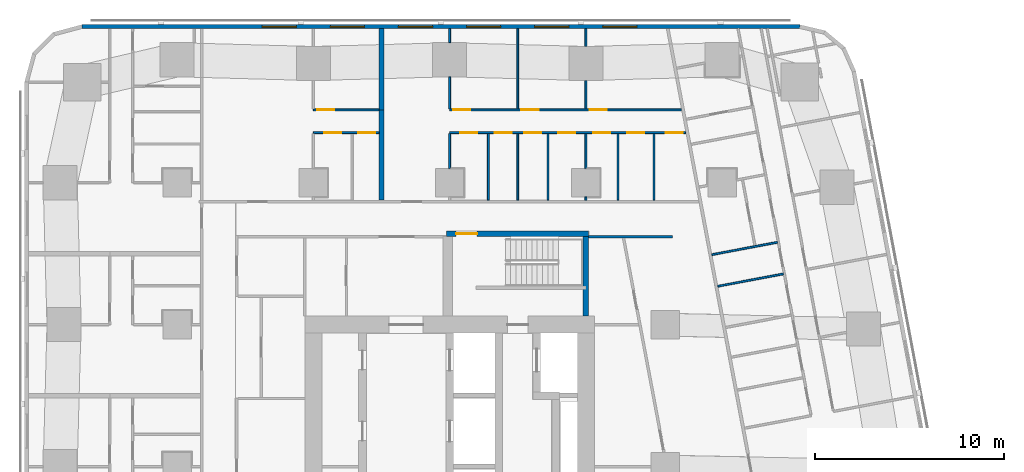
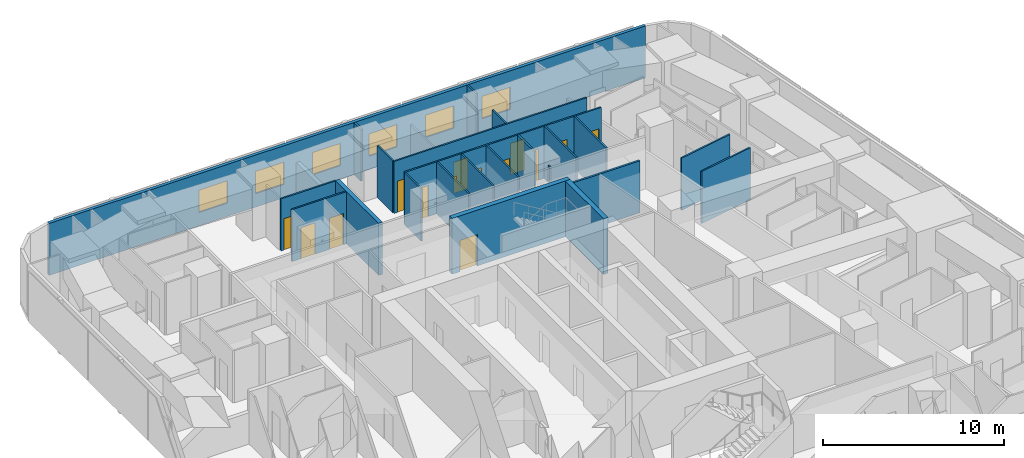
# One storey, part 10 of 15: 25 walls, 14 doors, 6 windows, 20 openings.
"""IFC4 building model written with IfcOpenShell, lengths in metres."""

import ifcopenshell
import ifcopenshell.guid

model = None  # the IFC model being written
_history = None  # IfcOwnerHistory: only IFC2X3 demands one
_inside = {}  # id of a spatial element -> (the spatial element, [elements in it])
_under = {}  # id of a project, library or spatial element -> (it, [spatial elements below it])
_declared = {}  # id of a project -> (the project, [libraries it declares])
_typed = {}  # id of a type object -> (the type object, [elements of that type])
_made_of = {}  # id of a material, layer set ... -> (it, [elements and type objects made of it])


def new_model(schema):
    """Start an empty IFC model of exactly this schema.

    Asked for "IFC4X3", IfcOpenShell would pick the latest addendum, in which some entities
    have other attributes; the version numbers below select the first issue.
    IFC2X3 requires an IfcOwnerHistory on every rooted entity: one is made here for all.
    """
    global model, _history
    if schema == "IFC4X3":
        model = ifcopenshell.file(schema_version=(4, 3, 0, 0))
    else:
        model = ifcopenshell.file(schema=schema)
    _inside.clear()
    _under.clear()
    _declared.clear()
    _typed.clear()
    _made_of.clear()
    _history = None
    if model.schema == "IFC2X3":
        org = make("IfcOrganization", Name="unknown")
        user = make(
            "IfcPersonAndOrganization",
            ThePerson=make("IfcPerson", FamilyName="unknown"),
            TheOrganization=org,
        )
        app = make(
            "IfcApplication",
            ApplicationDeveloper=org,
            Version="unknown",
            ApplicationFullName="unknown",
            ApplicationIdentifier="unknown",
        )
        _history = make(
            "IfcOwnerHistory",
            OwningUser=user,
            OwningApplication=app,
            ChangeAction="ADDED",
            CreationDate=0,
        )
    return model


def make(cls, **values):
    """One entity of the class cls with the attributes given. An attribute that is None is left unset."""
    return model.create_entity(
        cls, **{name: value for name, value in values.items() if value is not None}
    )


def rooted(cls, **values):
    """An entity with a GlobalId (a new one), such as an element, a storey or a relation."""
    return make(cls, GlobalId=ifcopenshell.guid.new(), OwnerHistory=_history, **values)


def si_unit(unit_type, name, prefix=None):
    """IfcSIUnit, for example si_unit("LENGTHUNIT", "METRE", prefix="MILLI")."""
    return make("IfcSIUnit", UnitType=unit_type, Prefix=prefix, Name=name)


def assignment(units):
    """IfcUnitAssignment: the units of a project."""
    return None if units is None else make("IfcUnitAssignment", Units=units)


def point(xyz):
    """IfcCartesianPoint."""
    return None if xyz is None else make("IfcCartesianPoint", Coordinates=xyz)


def direction(xyz):
    """IfcDirection."""
    return None if xyz is None else make("IfcDirection", DirectionRatios=xyz)


def frame(location, z_axis=None, x_axis=None):
    """IfcAxis2Placement3D, a coordinate frame: its origin and axes. An axis left out is left unset."""
    return make(
        "IfcAxis2Placement3D",
        Location=point(location),
        Axis=direction(z_axis),
        RefDirection=direction(x_axis),
    )


def frame_2d(location, x_axis=None):
    """IfcAxis2Placement2D, a coordinate frame in the plane: its origin and x axis."""
    return make(
        "IfcAxis2Placement2D", Location=point(location), RefDirection=direction(x_axis)
    )


def origin():
    """The frame at (0, 0, 0) with its axes left unset."""
    return frame((0.0, 0.0, 0.0))


def place(relative_to, where):
    """IfcLocalPlacement: puts the frame where relative to a parent placement (None: the world)."""
    return make(
        "IfcLocalPlacement", PlacementRelTo=relative_to, RelativePlacement=where
    )


def context(
    kind, dimensions, precision=None, world=None, true_north=None, identifier=None
):
    """IfcGeometricRepresentationContext, for example the 3D "Model" context."""
    return make(
        "IfcGeometricRepresentationContext",
        ContextIdentifier=identifier,
        ContextType=kind,
        CoordinateSpaceDimension=dimensions,
        Precision=precision,
        WorldCoordinateSystem=world,
        TrueNorth=true_north,
    )


def subcontext(parent, identifier, kind, view, scale=None):
    """IfcGeometricRepresentationSubContext, for example "Body" below "Model"."""
    return make(
        "IfcGeometricRepresentationSubContext",
        ContextIdentifier=identifier,
        ContextType=kind,
        ParentContext=parent,
        TargetScale=scale,
        TargetView=view,
    )


def project(units=None, contexts=None):
    """IfcProject with its units and contexts."""
    return rooted(
        "IfcProject",
        Name="project",
        RepresentationContexts=contexts,
        UnitsInContext=assignment(units),
    )


def spatial(cls, under=None, at=None, **own):
    """A site, building, storey or space (cls), placed at a placement, below another one or the project."""
    s = rooted(cls, ObjectPlacement=at, **own)
    if under is not None:
        _under.setdefault(under.id(), (under, []))[1].append(s)
    return s


def profile(cls, at=None, kind="AREA", **sizes):
    """A parametric profile (cls). Its sizes go by their IFC names, for example OverallWidth=200.0."""
    return make(cls, ProfileType=kind, Position=at, **sizes)


def rectangle(**sizes):
    """IfcRectangleProfileDef."""
    return profile("IfcRectangleProfileDef", **sizes)


def extrude(swept, where, along, depth):
    """IfcExtrudedAreaSolid: the profile swept, set in the frame where, extruded along a direction by depth."""
    return make(
        "IfcExtrudedAreaSolid",
        SweptArea=swept,
        Position=where,
        ExtrudedDirection=direction(along),
        Depth=depth,
    )


def shape(context_of_items, identifier, shape_type, items):
    """IfcShapeRepresentation: the items that make up one representation, for example the "Body"."""
    return make(
        "IfcShapeRepresentation",
        ContextOfItems=context_of_items,
        RepresentationIdentifier=identifier,
        RepresentationType=shape_type,
        Items=items,
    )


def material(Name=None, Category=None):
    """IfcMaterial."""
    return make("IfcMaterial", Name=Name, Category=Category)


def layer(
    of_material, thickness, ventilated=None, Name=None, Category=None, Priority=None
):
    """IfcMaterialLayer: one layer of a wall or slab, of a material (None: an air gap)."""
    return make(
        "IfcMaterialLayer",
        Material=of_material,
        LayerThickness=thickness,
        IsVentilated=ventilated,
        Name=Name,
        Category=Category,
        Priority=Priority,
    )


def layer_set(layers, Name=None):
    """IfcMaterialLayerSet."""
    return make("IfcMaterialLayerSet", MaterialLayers=layers, LayerSetName=Name)


def made_of(thing, what):
    """Note that an element or type object is made of a material, layer set ...; save() writes the relation."""
    if what is not None:
        _made_of.setdefault(what.id(), (what, []))[1].append(thing)
    return thing


def type_object(cls, material=None, **own):
    """A type object (cls), such as IfcWallType, which elements share."""
    return made_of(rooted(cls, **own), material)


def element(
    cls,
    number,
    at=None,
    inside=None,
    cuts=None,
    type_object=None,
    material=None,
    context=None,
    identifier="Body",
    shape_type=None,
    held_by="IfcProductDefinitionShape",
    body=None,
    shapes=None,
    **own,
):
    """One element of the class cls, such as IfcWall. Its Tag is "e" and its number.

    at: its placement. inside: the storey or other place that contains it. cuts: it is an
    opening in that element (IfcRelVoidsElement). A single representation is given by context,
    identifier, shape_type and body (its items); several are given by shapes. held_by: the class
    of the entity that holds the representations. save() writes the other relations.
    """
    e = rooted(cls, Tag="e%d" % number, ObjectPlacement=at, **own)
    if body is not None:
        shapes = [shape(context, identifier, shape_type, body)]
    if shapes is not None:
        e.Representation = make(held_by, Representations=shapes)
    if inside is not None:
        _inside.setdefault(inside.id(), (inside, []))[1].append(e)
    if cuts is not None:
        rooted(
            "IfcRelVoidsElement", RelatingBuildingElement=cuts, RelatedOpeningElement=e
        )
    if type_object is not None:
        _typed.setdefault(type_object.id(), (type_object, []))[1].append(e)
    return made_of(e, material)


def fill(opening, filler):
    """IfcRelFillsElement: the door or window that sits in an opening."""
    return rooted(
        "IfcRelFillsElement",
        RelatingOpeningElement=opening,
        RelatedBuildingElement=filler,
    )


def aggregate(whole, parts):
    """IfcRelAggregates: a whole, such as a stair, and the parts it consists of."""
    return rooted("IfcRelAggregates", RelatingObject=whole, RelatedObjects=parts)


def save(model, path):
    """Write the relations noted so far, then the file.

    IfcRelAggregates (storeys below a building ...), IfcRelContainedInSpatialStructure (elements
    in a storey), IfcRelDefinesByType, IfcRelAssociatesMaterial and IfcRelDeclares: one each for
    every whole, place, type object, material and project.
    """
    for whole, parts in _under.values():
        aggregate(whole, parts)
    for where, things in _inside.values():
        rooted(
            "IfcRelContainedInSpatialStructure",
            RelatedElements=things,
            RelatingStructure=where,
        )
    for kind, things in _typed.values():
        rooted("IfcRelDefinesByType", RelatedObjects=things, RelatingType=kind)
    for what, things in _made_of.values():
        rooted("IfcRelAssociatesMaterial", RelatedObjects=things, RelatingMaterial=what)
    for by, libraries in _declared.values():
        rooted("IfcRelDeclares", RelatingContext=by, RelatedDefinitions=libraries)
    model.write(path)


model = new_model("IFC4")

# Units and contexts
model_context = context("Model", 3, precision=1e-05, world=origin(), true_north=direction((0.0, 1.0)))
body_context = subcontext(model_context, "Body", "Model", "MODEL_VIEW")
ifc_project = project(units=[si_unit("LENGTHUNIT", "METRE"), si_unit("AREAUNIT", "SQUARE_METRE"), si_unit("VOLUMEUNIT", "CUBIC_METRE"), si_unit("PLANEANGLEUNIT", "RADIAN"), si_unit("MASSUNIT", "GRAM", prefix="KILO")], contexts=[model_context])

# Site, building, storey
site_placement = place(None, origin())
site = spatial("IfcSite", under=ifc_project, at=site_placement, CompositionType="ELEMENT")
building_placement = place(site_placement, origin())
building = spatial("IfcBuilding", under=site, at=building_placement, Name="Sheger Commons Tower", CompositionType="ELEMENT")
storey_placement = place(building_placement, frame((0.0, 0.0, 139.550048828125)))
storey = spatial("IfcBuildingStorey", under=building, at=storey_placement, Name="L35", CompositionType="ELEMENT", Elevation=139.550048828125)

# Walls
ifc_material_1 = material(Name="Dense concrete block masonry, plastered both sides (separating wall between flats)", Category="masonry")
ifc_layer_1 = layer(ifc_material_1, 0.25)
ifc_layer_set_1 = layer_set([ifc_layer_1], Name="DEMISING WALL 250")
wall_type_1 = type_object("IfcWallType", Name="DEMISING WALL 250", PredefinedType="SOLIDWALL", material=ifc_layer_set_1)
wall_1_placement = place(storey_placement, frame((18.0, 41.35009765625, 0.0), z_axis=(0.0, 0.0, 1.0), x_axis=(0.0, 1.0, 0.0)))
element("IfcWall", 1, at=wall_1_placement, inside=storey, type_object=wall_type_1, Name="Demising wall L35", PredefinedType="SOLIDWALL", context=body_context, shape_type="SweptSolid", body=[
    extrude(rectangle(XDim=4.2998046875, YDim=0.25, at=frame_2d((2.14990234375, 0.0))), origin(), (0.0, 0.0, 1.0), 2.099853515625),
])
wall_2_placement = place(storey_placement, frame((18.0, 36.574951171875, 0.0), z_axis=(0.0, 0.0, 1.0), x_axis=(0.0, 1.0, 0.0)))
element("IfcWall", 2, at=wall_2_placement, inside=storey, type_object=wall_type_1, Name="Demising wall L35", PredefinedType="SOLIDWALL", context=body_context, shape_type="SweptSolid", body=[
    extrude(rectangle(XDim=4.775146484375, YDim=0.25, at=frame_2d((2.3876953125, 0.0))), origin(), (0.0, 0.0, 1.0), 3.5),
])

# Wall, openings, windows
ifc_material_2 = material(Name="Rendered concrete block masonry, dark grey", Category="masonry")
ifc_layer_2 = layer(ifc_material_2, 0.199951171875)
ifc_layer_set_2 = layer_set([ifc_layer_2], Name="FACADE WALL 200")
wall_type_2 = type_object("IfcWallType", Name="FACADE WALL 200", PredefinedType="SOLIDWALL", material=ifc_layer_set_2)
wall_3_placement = place(storey_placement, frame((40.10595703125, 45.75, 0.0), z_axis=(0.0, 0.0, 1.0), x_axis=(-1.0, 0.0, 0.0)))
wall_3 = element("IfcWall", 3, at=wall_3_placement, inside=storey, type_object=wall_type_2, Name="Facade wall L35", PredefinedType="SOLIDWALL", context=body_context, shape_type="SweptSolid", body=[
    extrude(rectangle(XDim=37.94287109375, YDim=0.199951171875, at=frame_2d((18.971435546875, 0.0))), origin(), (0.0, 0.0, 1.0), 3.5),
])
opening_1_placement = place(wall_3_placement, frame((8.60595703125, 0.0, 0.89990234375)))
opening_1 = element("IfcOpeningElement", 4, at=opening_1_placement, cuts=wall_3, Name="Opening W2", PredefinedType="OPENING", context=body_context, shape_type="SweptSolid", body=[
    extrude(rectangle(XDim=1.800048828125, YDim=1.5, at=frame_2d((0.89990234375, 0.75))), frame((0.0, 0.10986328125, 0.0), z_axis=(0.0, -1.0, 0.0), x_axis=(1.0, 0.0, 0.0)), (0.0, 0.0, 1.0), 0.219970703125),
])
opening_2_placement = place(wall_3_placement, frame((12.2060546875, 0.0, 0.89990234375)))
opening_2 = element("IfcOpeningElement", 5, at=opening_2_placement, cuts=wall_3, Name="Opening W2", PredefinedType="OPENING", context=body_context, shape_type="SweptSolid", body=[
    extrude(rectangle(XDim=1.800048828125, YDim=1.5, at=frame_2d((0.89990234375, 0.75))), frame((0.0, 0.10986328125, 0.0), z_axis=(0.0, -1.0, 0.0), x_axis=(1.0, 0.0, 0.0)), (0.0, 0.0, 1.0), 0.219970703125),
])
opening_3_placement = place(wall_3_placement, frame((15.805908203125, 0.0, 0.89990234375)))
opening_3 = element("IfcOpeningElement", 6, at=opening_3_placement, cuts=wall_3, Name="Opening W2", PredefinedType="OPENING", context=body_context, shape_type="SweptSolid", body=[
    extrude(rectangle(XDim=1.800048828125, YDim=1.5, at=frame_2d((0.89990234375, 0.75))), frame((0.0, 0.10986328125, 0.0), z_axis=(0.0, -1.0, 0.0), x_axis=(1.0, 0.0, 0.0)), (0.0, 0.0, 1.0), 0.219970703125),
])
opening_4_placement = place(wall_3_placement, frame((19.406005859375, 0.0, 0.89990234375)))
opening_4 = element("IfcOpeningElement", 7, at=opening_4_placement, cuts=wall_3, Name="Opening W2", PredefinedType="OPENING", context=body_context, shape_type="SweptSolid", body=[
    extrude(rectangle(XDim=1.800048828125, YDim=1.5, at=frame_2d((0.89990234375, 0.75))), frame((0.0, 0.10986328125, 0.0), z_axis=(0.0, -1.0, 0.0), x_axis=(1.0, 0.0, 0.0)), (0.0, 0.0, 1.0), 0.219970703125),
])
opening_5_placement = place(wall_3_placement, frame((23.006103515625, 0.0, 0.89990234375)))
opening_5 = element("IfcOpeningElement", 8, at=opening_5_placement, cuts=wall_3, Name="Opening W2", PredefinedType="OPENING", context=body_context, shape_type="SweptSolid", body=[
    extrude(rectangle(XDim=1.800048828125, YDim=1.5, at=frame_2d((0.89990234375, 0.75))), frame((0.0, 0.10986328125, 0.0), z_axis=(0.0, -1.0, 0.0), x_axis=(1.0, 0.0, 0.0)), (0.0, 0.0, 1.0), 0.219970703125),
])
opening_6_placement = place(wall_3_placement, frame((26.60595703125, 0.0, 0.89990234375)))
opening_6 = element("IfcOpeningElement", 9, at=opening_6_placement, cuts=wall_3, Name="Opening W2", PredefinedType="OPENING", context=body_context, shape_type="SweptSolid", body=[
    extrude(rectangle(XDim=1.800048828125, YDim=1.5, at=frame_2d((0.89990234375, 0.75))), frame((0.0, 0.10986328125, 0.0), z_axis=(0.0, -1.0, 0.0), x_axis=(1.0, 0.0, 0.0)), (0.0, 0.0, 1.0), 0.219970703125),
])
ifc_material_3 = material(Name="Black aluminium frame, dark tinted double glazing", Category="aluminium")
window_type = type_object("IfcWindowType", Name="WINDOW W2 1800x1500", PartitioningType="SINGLE_PANEL", PredefinedType="WINDOW", material=ifc_material_3)
window_1_placement = place(opening_1_placement, origin())
window_1 = element("IfcWindow", 10, at=window_1_placement, inside=storey, type_object=window_type, Name="Window W2 1800X1500", OverallHeight=1.5, OverallWidth=1.800048828125, PartitioningType="SINGLE_PANEL", PredefinedType="WINDOW", context=body_context, shape_type="SweptSolid", body=[
    extrude(rectangle(XDim=1.800048828125, YDim=1.5, at=frame_2d((0.89990234375, 0.75))), frame((0.0, 0.030029296875, 0.0), z_axis=(0.0, -1.0, 0.0), x_axis=(1.0, 0.0, 0.0)), (0.0, 0.0, 1.0), 0.06005859375),
])
fill(opening_1, window_1)
window_2_placement = place(opening_2_placement, origin())
window_2 = element("IfcWindow", 11, at=window_2_placement, inside=storey, type_object=window_type, Name="Window W2 1800X1500", OverallHeight=1.5, OverallWidth=1.800048828125, PartitioningType="SINGLE_PANEL", PredefinedType="WINDOW", context=body_context, shape_type="SweptSolid", body=[
    extrude(rectangle(XDim=1.800048828125, YDim=1.5, at=frame_2d((0.89990234375, 0.75))), frame((0.0, 0.030029296875, 0.0), z_axis=(0.0, -1.0, 0.0), x_axis=(1.0, 0.0, 0.0)), (0.0, 0.0, 1.0), 0.06005859375),
])
fill(opening_2, window_2)
window_3_placement = place(opening_3_placement, origin())
window_3 = element("IfcWindow", 12, at=window_3_placement, inside=storey, type_object=window_type, Name="Window W2 1800X1500", OverallHeight=1.5, OverallWidth=1.800048828125, PartitioningType="SINGLE_PANEL", PredefinedType="WINDOW", context=body_context, shape_type="SweptSolid", body=[
    extrude(rectangle(XDim=1.800048828125, YDim=1.5, at=frame_2d((0.89990234375, 0.75))), frame((0.0, 0.030029296875, 0.0), z_axis=(0.0, -1.0, 0.0), x_axis=(1.0, 0.0, 0.0)), (0.0, 0.0, 1.0), 0.06005859375),
])
fill(opening_3, window_3)
window_4_placement = place(opening_4_placement, origin())
window_4 = element("IfcWindow", 13, at=window_4_placement, inside=storey, type_object=window_type, Name="Window W2 1800X1500", OverallHeight=1.5, OverallWidth=1.800048828125, PartitioningType="SINGLE_PANEL", PredefinedType="WINDOW", context=body_context, shape_type="SweptSolid", body=[
    extrude(rectangle(XDim=1.800048828125, YDim=1.5, at=frame_2d((0.89990234375, 0.75))), frame((0.0, 0.030029296875, 0.0), z_axis=(0.0, -1.0, 0.0), x_axis=(1.0, 0.0, 0.0)), (0.0, 0.0, 1.0), 0.06005859375),
])
fill(opening_4, window_4)
window_5_placement = place(opening_5_placement, origin())
window_5 = element("IfcWindow", 14, at=window_5_placement, inside=storey, type_object=window_type, Name="Window W2 1800X1500", OverallHeight=1.5, OverallWidth=1.800048828125, PartitioningType="SINGLE_PANEL", PredefinedType="WINDOW", context=body_context, shape_type="SweptSolid", body=[
    extrude(rectangle(XDim=1.800048828125, YDim=1.5, at=frame_2d((0.89990234375, 0.75))), frame((0.0, 0.030029296875, 0.0), z_axis=(0.0, -1.0, 0.0), x_axis=(1.0, 0.0, 0.0)), (0.0, 0.0, 1.0), 0.06005859375),
])
fill(opening_5, window_5)
window_6_placement = place(opening_6_placement, origin())
window_6 = element("IfcWindow", 15, at=window_6_placement, inside=storey, type_object=window_type, Name="Window W2 1800X1500", OverallHeight=1.5, OverallWidth=1.800048828125, PartitioningType="SINGLE_PANEL", PredefinedType="WINDOW", context=body_context, shape_type="SweptSolid", body=[
    extrude(rectangle(XDim=1.800048828125, YDim=1.5, at=frame_2d((0.89990234375, 0.75))), frame((0.0, 0.030029296875, 0.0), z_axis=(0.0, -1.0, 0.0), x_axis=(1.0, 0.0, 0.0)), (0.0, 0.0, 1.0), 0.06005859375),
])
fill(opening_6, window_6)

# Walls
ifc_material_4 = material(Name="Gypsum board on steel studs", Category="steel")
ifc_layer_3 = layer(ifc_material_4, 0.10009765625)
ifc_layer_set_3 = layer_set([ifc_layer_3], Name="PARTITION 100")
wall_type_3 = type_object("IfcWallType", Name="PARTITION 100", PredefinedType="PARTITIONING", material=ifc_layer_set_3)
wall_4_placement = place(storey_placement, frame((39.239990234375, 32.68310546875, 0.0), z_axis=(0.0, 0.0, 1.0), x_axis=(-0.982638553676, -0.185530247748, 0.0)))
element("IfcWall", 16, at=wall_4_placement, inside=storey, type_object=wall_type_3, Name="Partition L35", PredefinedType="PARTITIONING", context=body_context, shape_type="SweptSolid", body=[
    extrude(rectangle(XDim=3.525390625, YDim=0.10009765625, at=frame_2d((1.7626953125, 0.0))), origin(), (0.0, 0.0, 1.0), 3.5),
])
wall_5_placement = place(storey_placement, frame((38.924072265625, 34.35302734375, 0.0), z_axis=(0.0, 0.0, 1.0), x_axis=(-0.982629014545, -0.18558076348, 0.0)))
element("IfcWall", 17, at=wall_5_placement, inside=storey, type_object=wall_type_3, Name="Partition L35", PredefinedType="PARTITIONING", context=body_context, shape_type="SweptSolid", body=[
    extrude(rectangle(XDim=3.5244140625, YDim=0.10009765625, at=frame_2d((1.76220703125, 0.0))), origin(), (0.0, 0.0, 1.0), 3.5),
])

# Wall, opening, door
wall_6_placement = place(storey_placement, frame((14.39990234375, 41.35009765625, 0.0), z_axis=(0.0, 0.0, 1.0), x_axis=(1.0, 0.0, 0.0)))
wall_6 = element("IfcWall", 18, at=wall_6_placement, inside=storey, type_object=wall_type_3, Name="Partition L35", PredefinedType="PARTITIONING", context=body_context, shape_type="SweptSolid", body=[
    extrude(rectangle(XDim=3.47509765625, YDim=0.10009765625, at=frame_2d((1.737548828125, 0.0))), origin(), (0.0, 0.0, 1.0), 3.5),
])
opening_7_placement = place(wall_6_placement, frame((0.199951171875, 0.0, 0.0)))
opening_7 = element("IfcOpeningElement", 19, at=opening_7_placement, cuts=wall_6, Name="Opening D2", PredefinedType="OPENING", context=body_context, shape_type="SweptSolid", body=[
    extrude(rectangle(XDim=0.89990234375, YDim=2.10009765625, at=frame_2d((0.449951171875, 1.050048828125))), frame((0.0, 0.06005859375, 0.0), z_axis=(0.0, -1.0, 0.0), x_axis=(1.0, 0.0, 0.0)), (0.0, 0.0, 1.0), 0.1201171875),
])
ifc_material_5 = material(Name="Timber door set", Category="wood")
door_type_1 = type_object("IfcDoorType", Name="INTERNAL DOOR 900x2100", OperationType="NOTDEFINED", PredefinedType="DOOR", material=ifc_material_5)
door_1_placement = place(opening_7_placement, origin())
door_1 = element("IfcDoor", 20, at=door_1_placement, inside=storey, type_object=door_type_1, Name="Main bedroom door", OperationType="SINGLE_SWING_LEFT", OverallHeight=2.10009765625, OverallWidth=0.89990234375, PredefinedType="DOOR", context=body_context, shape_type="SweptSolid", body=[
    extrude(rectangle(XDim=0.89990234375, YDim=2.10009765625, at=frame_2d((0.449951171875, 1.050048828125))), frame((0.0, 0.02490234375, 0.0), z_axis=(0.0, -1.0, 0.0), x_axis=(1.0, 0.0, 0.0)), (0.0, 0.0, 1.0), 0.050048828125),
])
fill(opening_7, door_1)

# Wall, openings, doors
wall_7_placement = place(storey_placement, frame((14.39990234375, 40.14990234375, 0.0), z_axis=(0.0, 0.0, 1.0), x_axis=(1.0, 0.0, 0.0)))
wall_7 = element("IfcWall", 21, at=wall_7_placement, inside=storey, type_object=wall_type_3, Name="Partition L35", PredefinedType="PARTITIONING", context=body_context, shape_type="SweptSolid", body=[
    extrude(rectangle(XDim=3.47509765625, YDim=0.10009765625, at=frame_2d((1.737548828125, 0.0))), origin(), (0.0, 0.0, 1.0), 3.5),
])
opening_8_placement = place(wall_7_placement, frame((0.574951171875, 0.0, 0.0)))
opening_8 = element("IfcOpeningElement", 22, at=opening_8_placement, cuts=wall_7, Name="Opening D2", PredefinedType="OPENING", context=body_context, shape_type="SweptSolid", body=[
    extrude(rectangle(XDim=0.89990234375, YDim=2.10009765625, at=frame_2d((0.449951171875, 1.050048828125))), frame((0.0, 0.06005859375, 0.0), z_axis=(0.0, -1.0, 0.0), x_axis=(1.0, 0.0, 0.0)), (0.0, 0.0, 1.0), 0.1201171875),
])
opening_9_placement = place(wall_7_placement, frame((2.375, 0.0, 0.0)))
opening_9 = element("IfcOpeningElement", 23, at=opening_9_placement, cuts=wall_7, Name="Opening D2", PredefinedType="OPENING", context=body_context, shape_type="SweptSolid", body=[
    extrude(rectangle(XDim=0.89990234375, YDim=2.10009765625, at=frame_2d((0.449951171875, 1.050048828125))), frame((0.0, 0.06005859375, 0.0), z_axis=(0.0, -1.0, 0.0), x_axis=(1.0, 0.0, 0.0)), (0.0, 0.0, 1.0), 0.1201171875),
])
door_2_placement = place(opening_8_placement, origin())
door_2 = element("IfcDoor", 24, at=door_2_placement, inside=storey, type_object=door_type_1, Name="Bathroom door", OperationType="SINGLE_SWING_RIGHT", OverallHeight=2.10009765625, OverallWidth=0.89990234375, PredefinedType="DOOR", context=body_context, shape_type="SweptSolid", body=[
    extrude(rectangle(XDim=0.89990234375, YDim=2.10009765625, at=frame_2d((0.449951171875, 1.050048828125))), frame((0.0, 0.02490234375, 0.0), z_axis=(0.0, -1.0, 0.0), x_axis=(1.0, 0.0, 0.0)), (0.0, 0.0, 1.0), 0.050048828125),
])
fill(opening_8, door_2)
door_3_placement = place(opening_9_placement, origin())
door_3 = element("IfcDoor", 25, at=door_3_placement, inside=storey, type_object=door_type_1, Name="Store door", OperationType="SINGLE_SWING_LEFT", OverallHeight=2.10009765625, OverallWidth=0.89990234375, PredefinedType="DOOR", context=body_context, shape_type="SweptSolid", body=[
    extrude(rectangle(XDim=0.89990234375, YDim=2.10009765625, at=frame_2d((0.449951171875, 1.050048828125))), frame((0.0, 0.02490234375, 0.0), z_axis=(0.0, -1.0, 0.0), x_axis=(1.0, 0.0, 0.0)), (0.0, 0.0, 1.0), 0.050048828125),
])
fill(opening_9, door_3)

wall_8_placement = place(storey_placement, frame((21.60009765625, 41.35009765625, 0.0), z_axis=(0.0, 0.0, 1.0), x_axis=(1.0, 0.0, 0.0)))
wall_8 = element("IfcWall", 26, at=wall_8_placement, inside=storey, type_object=wall_type_3, Name="Partition L35", PredefinedType="PARTITIONING", context=body_context, shape_type="SweptSolid", body=[
    extrude(rectangle(XDim=12.2529296875, YDim=0.10009765625, at=frame_2d((6.12646484375, 0.0))), origin(), (0.0, 0.0, 1.0), 3.5),
])
opening_10_placement = place(wall_8_placement, frame((0.199951171875, 0.0, 0.0)))
opening_10 = element("IfcOpeningElement", 27, at=opening_10_placement, cuts=wall_8, Name="Opening D2", PredefinedType="OPENING", context=body_context, shape_type="SweptSolid", body=[
    extrude(rectangle(XDim=0.89990234375, YDim=2.10009765625, at=frame_2d((0.449951171875, 1.050048828125))), frame((0.0, 0.06005859375, 0.0), z_axis=(0.0, -1.0, 0.0), x_axis=(1.0, 0.0, 0.0)), (0.0, 0.0, 1.0), 0.1201171875),
])
opening_11_placement = place(wall_8_placement, frame((3.800048828125, 0.0, 0.0)))
opening_11 = element("IfcOpeningElement", 28, at=opening_11_placement, cuts=wall_8, Name="Opening D2", PredefinedType="OPENING", context=body_context, shape_type="SweptSolid", body=[
    extrude(rectangle(XDim=0.89990234375, YDim=2.10009765625, at=frame_2d((0.449951171875, 1.050048828125))), frame((0.0, 0.06005859375, 0.0), z_axis=(0.0, -1.0, 0.0), x_axis=(1.0, 0.0, 0.0)), (0.0, 0.0, 1.0), 0.1201171875),
])
opening_12_placement = place(wall_8_placement, frame((7.39990234375, 0.0, 0.0)))
opening_12 = element("IfcOpeningElement", 29, at=opening_12_placement, cuts=wall_8, Name="Opening D2", PredefinedType="OPENING", context=body_context, shape_type="SweptSolid", body=[
    extrude(rectangle(XDim=0.89990234375, YDim=2.10009765625, at=frame_2d((0.449951171875, 1.050048828125))), frame((0.0, 0.06005859375, 0.0), z_axis=(0.0, -1.0, 0.0), x_axis=(1.0, 0.0, 0.0)), (0.0, 0.0, 1.0), 0.1201171875),
])
door_4_placement = place(opening_10_placement, origin())
door_4 = element("IfcDoor", 30, at=door_4_placement, inside=storey, type_object=door_type_1, Name="Main bedroom door", OperationType="SINGLE_SWING_LEFT", OverallHeight=2.10009765625, OverallWidth=0.89990234375, PredefinedType="DOOR", context=body_context, shape_type="SweptSolid", body=[
    extrude(rectangle(XDim=0.89990234375, YDim=2.10009765625, at=frame_2d((0.449951171875, 1.050048828125))), frame((0.0, 0.02490234375, 0.0), z_axis=(0.0, -1.0, 0.0), x_axis=(1.0, 0.0, 0.0)), (0.0, 0.0, 1.0), 0.050048828125),
])
fill(opening_10, door_4)
door_5_placement = place(opening_11_placement, origin())
door_5 = element("IfcDoor", 31, at=door_5_placement, inside=storey, type_object=door_type_1, Name="Bedroom 2 door", OperationType="SINGLE_SWING_LEFT", OverallHeight=2.10009765625, OverallWidth=0.89990234375, PredefinedType="DOOR", context=body_context, shape_type="SweptSolid", body=[
    extrude(rectangle(XDim=0.89990234375, YDim=2.10009765625, at=frame_2d((0.449951171875, 1.050048828125))), frame((0.0, 0.02490234375, 0.0), z_axis=(0.0, -1.0, 0.0), x_axis=(1.0, 0.0, 0.0)), (0.0, 0.0, 1.0), 0.050048828125),
])
fill(opening_11, door_5)
door_6_placement = place(opening_12_placement, origin())
door_6 = element("IfcDoor", 32, at=door_6_placement, inside=storey, type_object=door_type_1, Name="Bedroom 3 door", OperationType="SINGLE_SWING_LEFT", OverallHeight=2.10009765625, OverallWidth=0.89990234375, PredefinedType="DOOR", context=body_context, shape_type="SweptSolid", body=[
    extrude(rectangle(XDim=0.89990234375, YDim=2.10009765625, at=frame_2d((0.449951171875, 1.050048828125))), frame((0.0, 0.02490234375, 0.0), z_axis=(0.0, -1.0, 0.0), x_axis=(1.0, 0.0, 0.0)), (0.0, 0.0, 1.0), 0.050048828125),
])
fill(opening_12, door_6)

wall_9_placement = place(storey_placement, frame((21.60009765625, 40.14990234375, 0.0), z_axis=(0.0, 0.0, 1.0), x_axis=(1.0, 0.0, 0.0)))
wall_9 = element("IfcWall", 33, at=wall_9_placement, inside=storey, type_object=wall_type_3, Name="Partition L35", PredefinedType="PARTITIONING", context=body_context, shape_type="SweptSolid", body=[
    extrude(rectangle(XDim=12.47998046875, YDim=0.10009765625, at=frame_2d((6.239990234375, 0.0))), origin(), (0.0, 0.0, 1.0), 3.5),
])
opening_13_placement = place(wall_9_placement, frame((0.574951171875, 0.0, 0.0)))
opening_13 = element("IfcOpeningElement", 34, at=opening_13_placement, cuts=wall_9, Name="Opening D2", PredefinedType="OPENING", context=body_context, shape_type="SweptSolid", body=[
    extrude(rectangle(XDim=0.89990234375, YDim=2.10009765625, at=frame_2d((0.449951171875, 1.050048828125))), frame((0.0, 0.06005859375, 0.0), z_axis=(0.0, -1.0, 0.0), x_axis=(1.0, 0.0, 0.0)), (0.0, 0.0, 1.0), 0.1201171875),
])
opening_14_placement = place(wall_9_placement, frame((3.949951171875, 0.0, 0.0)))
opening_14 = element("IfcOpeningElement", 35, at=opening_14_placement, cuts=wall_9, Name="Opening D2", PredefinedType="OPENING", context=body_context, shape_type="SweptSolid", body=[
    extrude(rectangle(XDim=0.89990234375, YDim=2.10009765625, at=frame_2d((0.449951171875, 1.050048828125))), frame((0.0, 0.06005859375, 0.0), z_axis=(0.0, -1.0, 0.0), x_axis=(1.0, 0.0, 0.0)), (0.0, 0.0, 1.0), 0.1201171875),
])
opening_15_placement = place(wall_9_placement, frame((7.60009765625, 0.0, 0.0)))
opening_15 = element("IfcOpeningElement", 36, at=opening_15_placement, cuts=wall_9, Name="Opening D2", PredefinedType="OPENING", context=body_context, shape_type="SweptSolid", body=[
    extrude(rectangle(XDim=0.89990234375, YDim=2.10009765625, at=frame_2d((0.449951171875, 1.050048828125))), frame((0.0, 0.06005859375, 0.0), z_axis=(0.0, -1.0, 0.0), x_axis=(1.0, 0.0, 0.0)), (0.0, 0.0, 1.0), 0.1201171875),
])
opening_16_placement = place(wall_9_placement, frame((11.429931640625, 0.0, 0.0)))
opening_16 = element("IfcOpeningElement", 37, at=opening_16_placement, cuts=wall_9, Name="Opening D2", PredefinedType="OPENING", context=body_context, shape_type="SweptSolid", body=[
    extrude(rectangle(XDim=0.89990234375, YDim=2.10009765625, at=frame_2d((0.449951171875, 1.050048828125))), frame((0.0, 0.06005859375, 0.0), z_axis=(0.0, -1.0, 0.0), x_axis=(1.0, 0.0, 0.0)), (0.0, 0.0, 1.0), 0.1201171875),
])
opening_17_placement = place(wall_9_placement, frame((2.375, 0.0, 0.0)))
opening_17 = element("IfcOpeningElement", 38, at=opening_17_placement, cuts=wall_9, Name="Opening D2", PredefinedType="OPENING", context=body_context, shape_type="SweptSolid", body=[
    extrude(rectangle(XDim=0.89990234375, YDim=2.10009765625, at=frame_2d((0.449951171875, 1.050048828125))), frame((0.0, 0.06005859375, 0.0), z_axis=(0.0, -1.0, 0.0), x_axis=(1.0, 0.0, 0.0)), (0.0, 0.0, 1.0), 0.1201171875),
])
opening_18_placement = place(wall_9_placement, frame((5.75, 0.0, 0.0)))
opening_18 = element("IfcOpeningElement", 39, at=opening_18_placement, cuts=wall_9, Name="Opening D2", PredefinedType="OPENING", context=body_context, shape_type="SweptSolid", body=[
    extrude(rectangle(XDim=0.89990234375, YDim=2.10009765625, at=frame_2d((0.449951171875, 1.050048828125))), frame((0.0, 0.06005859375, 0.0), z_axis=(0.0, -1.0, 0.0), x_axis=(1.0, 0.0, 0.0)), (0.0, 0.0, 1.0), 0.1201171875),
])
opening_19_placement = place(wall_9_placement, frame((9.39990234375, 0.0, 0.0)))
opening_19 = element("IfcOpeningElement", 40, at=opening_19_placement, cuts=wall_9, Name="Opening D2", PredefinedType="OPENING", context=body_context, shape_type="SweptSolid", body=[
    extrude(rectangle(XDim=0.89990234375, YDim=2.10009765625, at=frame_2d((0.449951171875, 1.050048828125))), frame((0.0, 0.06005859375, 0.0), z_axis=(0.0, -1.0, 0.0), x_axis=(1.0, 0.0, 0.0)), (0.0, 0.0, 1.0), 0.1201171875),
])
door_7_placement = place(opening_13_placement, origin())
door_7 = element("IfcDoor", 41, at=door_7_placement, inside=storey, type_object=door_type_1, Name="Bathroom door", OperationType="SINGLE_SWING_RIGHT", OverallHeight=2.10009765625, OverallWidth=0.89990234375, PredefinedType="DOOR", context=body_context, shape_type="SweptSolid", body=[
    extrude(rectangle(XDim=0.89990234375, YDim=2.10009765625, at=frame_2d((0.449951171875, 1.050048828125))), frame((0.0, 0.02490234375, 0.0), z_axis=(0.0, -1.0, 0.0), x_axis=(1.0, 0.0, 0.0)), (0.0, 0.0, 1.0), 0.050048828125),
])
fill(opening_13, door_7)
door_8_placement = place(opening_14_placement, origin())
door_8 = element("IfcDoor", 42, at=door_8_placement, inside=storey, type_object=door_type_1, Name="Shower room door", OperationType="SINGLE_SWING_LEFT", OverallHeight=2.10009765625, OverallWidth=0.89990234375, PredefinedType="DOOR", context=body_context, shape_type="SweptSolid", body=[
    extrude(rectangle(XDim=0.89990234375, YDim=2.10009765625, at=frame_2d((0.449951171875, 1.050048828125))), frame((0.0, 0.02490234375, 0.0), z_axis=(0.0, -1.0, 0.0), x_axis=(1.0, 0.0, 0.0)), (0.0, 0.0, 1.0), 0.050048828125),
])
fill(opening_14, door_8)
door_9_placement = place(opening_15_placement, origin())
door_9 = element("IfcDoor", 43, at=door_9_placement, inside=storey, type_object=door_type_1, Name="Laundry room door", OperationType="SINGLE_SWING_LEFT", OverallHeight=2.10009765625, OverallWidth=0.89990234375, PredefinedType="DOOR", context=body_context, shape_type="SweptSolid", body=[
    extrude(rectangle(XDim=0.89990234375, YDim=2.10009765625, at=frame_2d((0.449951171875, 1.050048828125))), frame((0.0, 0.02490234375, 0.0), z_axis=(0.0, -1.0, 0.0), x_axis=(1.0, 0.0, 0.0)), (0.0, 0.0, 1.0), 0.050048828125),
])
fill(opening_15, door_9)
door_10_placement = place(opening_16_placement, origin())
door_10 = element("IfcDoor", 44, at=door_10_placement, inside=storey, type_object=door_type_1, Name="Store and laundry door", OperationType="SINGLE_SWING_LEFT", OverallHeight=2.10009765625, OverallWidth=0.89990234375, PredefinedType="DOOR", context=body_context, shape_type="SweptSolid", body=[
    extrude(rectangle(XDim=0.89990234375, YDim=2.10009765625, at=frame_2d((0.449951171875, 1.050048828125))), frame((0.0, 0.02490234375, 0.0), z_axis=(0.0, -1.0, 0.0), x_axis=(1.0, 0.0, 0.0)), (0.0, 0.0, 1.0), 0.050048828125),
])
fill(opening_16, door_10)
door_11_placement = place(opening_17_placement, origin())
door_11 = element("IfcDoor", 45, at=door_11_placement, inside=storey, type_object=door_type_1, Name="Store door", OperationType="SINGLE_SWING_RIGHT", OverallHeight=2.10009765625, OverallWidth=0.89990234375, PredefinedType="DOOR", context=body_context, shape_type="SweptSolid", body=[
    extrude(rectangle(XDim=0.89990234375, YDim=2.10009765625, at=frame_2d((0.449951171875, 1.050048828125))), frame((0.0, 0.02490234375, 0.0), z_axis=(0.0, -1.0, 0.0), x_axis=(1.0, 0.0, 0.0)), (0.0, 0.0, 1.0), 0.050048828125),
])
fill(opening_17, door_11)
door_12_placement = place(opening_18_placement, origin())
door_12 = element("IfcDoor", 46, at=door_12_placement, inside=storey, type_object=door_type_1, Name="Store door", OperationType="SINGLE_SWING_RIGHT", OverallHeight=2.10009765625, OverallWidth=0.89990234375, PredefinedType="DOOR", context=body_context, shape_type="SweptSolid", body=[
    extrude(rectangle(XDim=0.89990234375, YDim=2.10009765625, at=frame_2d((0.449951171875, 1.050048828125))), frame((0.0, 0.02490234375, 0.0), z_axis=(0.0, -1.0, 0.0), x_axis=(1.0, 0.0, 0.0)), (0.0, 0.0, 1.0), 0.050048828125),
])
fill(opening_18, door_12)
door_13_placement = place(opening_19_placement, origin())
door_13 = element("IfcDoor", 47, at=door_13_placement, inside=storey, type_object=door_type_1, Name="Store door", OperationType="SINGLE_SWING_RIGHT", OverallHeight=2.10009765625, OverallWidth=0.89990234375, PredefinedType="DOOR", context=body_context, shape_type="SweptSolid", body=[
    extrude(rectangle(XDim=0.89990234375, YDim=2.10009765625, at=frame_2d((0.449951171875, 1.050048828125))), frame((0.0, 0.02490234375, 0.0), z_axis=(0.0, -1.0, 0.0), x_axis=(1.0, 0.0, 0.0)), (0.0, 0.0, 1.0), 0.050048828125),
])
fill(opening_19, door_13)

# Walls
wall_10_placement = place(storey_placement, frame((21.60009765625, 41.39990234375, 0.0), z_axis=(0.0, 0.0, 1.0), x_axis=(0.0, 1.0, 0.0)))
element("IfcWall", 48, at=wall_10_placement, inside=storey, type_object=wall_type_3, Name="Partition L35", PredefinedType="PARTITIONING", context=body_context, shape_type="SweptSolid", body=[
    extrude(rectangle(XDim=1.69921875, YDim=0.10009765625, at=frame_2d((0.849609375, 0.0))), origin(), (0.0, 0.0, 1.0), 3.5),
])
wall_11_placement = place(storey_placement, frame((21.60009765625, 44.90087890625, 0.0), z_axis=(0.0, 0.0, 1.0), x_axis=(0.0, 1.0, 0.0)))
element("IfcWall", 49, at=wall_11_placement, inside=storey, type_object=wall_type_3, Name="Partition L35", PredefinedType="PARTITIONING", context=body_context, shape_type="SweptSolid", body=[
    extrude(rectangle(XDim=0.7490234375, YDim=0.10009765625, at=frame_2d((0.37451171875, 0.0))), origin(), (0.0, 0.0, 1.0), 3.5),
])
wall_12_placement = place(storey_placement, frame((25.199951171875, 41.39990234375, 0.0), z_axis=(0.0, 0.0, 1.0), x_axis=(0.0, 1.0, 0.0)))
element("IfcWall", 50, at=wall_12_placement, inside=storey, type_object=wall_type_3, Name="Partition L35", PredefinedType="PARTITIONING", context=body_context, shape_type="SweptSolid", body=[
    extrude(rectangle(XDim=4.25, YDim=0.10009765625, at=frame_2d((2.125, 0.0))), origin(), (0.0, 0.0, 1.0), 2.099853515625),
])
wall_13_placement = place(storey_placement, frame((28.800048828125, 41.39990234375, 0.0), z_axis=(0.0, 0.0, 1.0), x_axis=(0.0, 1.0, 0.0)))
element("IfcWall", 51, at=wall_13_placement, inside=storey, type_object=wall_type_3, Name="Partition L35", PredefinedType="PARTITIONING", context=body_context, shape_type="SweptSolid", body=[
    extrude(rectangle(XDim=1.4990234375, YDim=0.10009765625, at=frame_2d((0.74951171875, 0.0))), origin(), (0.0, 0.0, 1.0), 3.5),
])
wall_14_placement = place(storey_placement, frame((28.800048828125, 44.700927734375, 0.0), z_axis=(0.0, 0.0, 1.0), x_axis=(0.0, 1.0, 0.0)))
element("IfcWall", 52, at=wall_14_placement, inside=storey, type_object=wall_type_3, Name="Partition L35", PredefinedType="PARTITIONING", context=body_context, shape_type="SweptSolid", body=[
    extrude(rectangle(XDim=0.948974609375, YDim=0.10009765625, at=frame_2d((0.474609375, 0.0))), origin(), (0.0, 0.0, 1.0), 3.5),
])
wall_15_placement = place(storey_placement, frame((21.60009765625, 38.2509765625, 0.0), z_axis=(0.0, 0.0, 1.0), x_axis=(0.0, 1.0, 0.0)))
element("IfcWall", 53, at=wall_15_placement, inside=storey, type_object=wall_type_3, Name="Partition L35", PredefinedType="PARTITIONING", context=body_context, shape_type="SweptSolid", body=[
    extrude(rectangle(XDim=1.84912109375, YDim=0.10009765625, at=frame_2d((0.924560546875, 0.0))), origin(), (0.0, 0.0, 1.0), 3.5),
])
wall_16_placement = place(storey_placement, frame((25.199951171875, 36.574951171875, 0.0), z_axis=(0.0, 0.0, 1.0), x_axis=(0.0, 1.0, 0.0)))
element("IfcWall", 54, at=wall_16_placement, inside=storey, type_object=wall_type_3, Name="Partition L35", PredefinedType="PARTITIONING", context=body_context, shape_type="SweptSolid", body=[
    extrude(rectangle(XDim=3.525146484375, YDim=0.10009765625, at=frame_2d((1.7626953125, 0.0))), origin(), (0.0, 0.0, 1.0), 3.5),
])
wall_17_placement = place(storey_placement, frame((28.800048828125, 36.574951171875, 0.0), z_axis=(0.0, 0.0, 1.0), x_axis=(0.0, 1.0, 0.0)))
element("IfcWall", 55, at=wall_17_placement, inside=storey, type_object=wall_type_3, Name="Partition L35", PredefinedType="PARTITIONING", context=body_context, shape_type="SweptSolid", body=[
    extrude(rectangle(XDim=0.174072265625, YDim=0.10009765625, at=frame_2d((0.0869140625, 0.0))), origin(), (0.0, 0.0, 1.0), 3.5),
])
wall_18_placement = place(storey_placement, frame((28.800048828125, 38.2509765625, 0.0), z_axis=(0.0, 0.0, 1.0), x_axis=(0.0, 1.0, 0.0)))
element("IfcWall", 56, at=wall_18_placement, inside=storey, type_object=wall_type_3, Name="Partition L35", PredefinedType="PARTITIONING", context=body_context, shape_type="SweptSolid", body=[
    extrude(rectangle(XDim=1.84912109375, YDim=0.10009765625, at=frame_2d((0.924560546875, 0.0))), origin(), (0.0, 0.0, 1.0), 3.5),
])
for number, where, z_axis, x_axis, name in (
    (57, (32.39990234375, 36.574951171875, 0.0), (0.0, 0.0, 1.0), (0.0, 1.0, 0.0), "Partition L35"),
    (58, (23.64990234375, 36.574951171875, 0.0), (0.0, 0.0, 1.0), (0.0, 1.0, 0.0), "Partition L35"),
    (59, (26.800048828125, 36.574951171875, 0.0), (0.0, 0.0, 1.0), (0.0, 1.0, 0.0), "Partition L35"),
    (60, (30.5, 36.574951171875, 0.0), (0.0, 0.0, 1.0), (0.0, 1.0, 0.0), "Partition L35"),
):
    element("IfcWall", number, at=place(storey_placement, frame(where, z_axis=z_axis, x_axis=x_axis)), inside=storey, type_object=wall_type_3, Name=name, PredefinedType="PARTITIONING", context=body_context, shape_type="SweptSolid", body=[
        extrude(rectangle(XDim=3.525146484375, YDim=0.10009765625, at=frame_2d((1.7626953125, 0.0))), origin(), (0.0, 0.0, 1.0), 3.5),
    ])
ifc_material_6 = material(Name="Gypsum board on steel studs, two layers each side, fire rated", Category="steel")
ifc_layer_4 = layer(ifc_material_6, 0.125)
ifc_layer_set_4 = layer_set([ifc_layer_4], Name="SERVICE WALL 125")
wall_type_4 = type_object("IfcWallType", Name="SERVICE WALL 125", PredefinedType="PARTITIONING", material=ifc_layer_set_4)
wall_19_placement = place(storey_placement, frame((28.949951171875, 34.64990234375, 0.0), z_axis=(0.0, 0.0, 1.0), x_axis=(1.0, 0.0, 0.0)))
element("IfcWall", 61, at=wall_19_placement, inside=storey, type_object=wall_type_4, Name="Service room wall L35", PredefinedType="PARTITIONING", context=body_context, shape_type="SweptSolid", body=[
    extrude(rectangle(XDim=4.423095703125, YDim=0.125, at=frame_2d((2.21142578125, 0.0))), origin(), (0.0, 0.0, 1.0), 3.5),
])

# Wall, opening, door
ifc_material_7 = material(Name="Concrete C50/60", Category="concrete")
ifc_layer_5 = layer(ifc_material_7, 0.300048828125)
ifc_layer_set_5 = layer_set([ifc_layer_5], Name="STAIR CORE WALL 300")
wall_type_5 = type_object("IfcWallType", Name="STAIR CORE WALL 300", PredefinedType="SHEAR", material=ifc_layer_set_5)
wall_20_placement = place(storey_placement, frame((21.449951171875, 34.800048828125, 0.0), z_axis=(0.0, 0.0, 1.0), x_axis=(1.0, 0.0, 0.0)))
wall_20 = element("IfcWall", 62, at=wall_20_placement, inside=storey, type_object=wall_type_5, Name="STW-L35-S2N", PredefinedType="SHEAR", context=body_context, shape_type="SweptSolid", body=[
    extrude(rectangle(XDim=7.5, YDim=0.300048828125, at=frame_2d((3.75, 0.0))), origin(), (0.0, 0.0, 1.0), 3.75),
])
opening_20_placement = place(wall_20_placement, frame((0.5, 0.0, 0.0)))
opening_20 = element("IfcOpeningElement", 63, at=opening_20_placement, cuts=wall_20, Name="Opening D5", PredefinedType="OPENING", context=body_context, shape_type="SweptSolid", body=[
    extrude(rectangle(XDim=1.10009765625, YDim=2.10009765625, at=frame_2d((0.550048828125, 1.050048828125))), frame((0.0, 0.159912109375, 0.0), z_axis=(0.0, -1.0, 0.0), x_axis=(1.0, 0.0, 0.0)), (0.0, 0.0, 1.0), 0.320068359375),
])
ifc_material_8 = material(Name="Steel door set, fire rated", Category="steel")
door_type_2 = type_object("IfcDoorType", Name="STAIR DOOR 1100x2100", OperationType="NOTDEFINED", PredefinedType="DOOR", material=ifc_material_8)
door_14_placement = place(opening_20_placement, origin())
door_14 = element("IfcDoor", 64, at=door_14_placement, inside=storey, type_object=door_type_2, Name="Stair S2 door", OperationType="SINGLE_SWING_RIGHT", OverallHeight=2.10009765625, OverallWidth=1.10009765625, PredefinedType="DOOR", context=body_context, shape_type="SweptSolid", body=[
    extrude(rectangle(XDim=1.10009765625, YDim=2.10009765625, at=frame_2d((0.550048828125, 1.050048828125))), frame((0.0, 0.02490234375, 0.0), z_axis=(0.0, -1.0, 0.0), x_axis=(1.0, 0.0, 0.0)), (0.0, 0.0, 1.0), 0.050048828125),
])
fill(opening_20, door_14)

# Wall
wall_21_placement = place(storey_placement, frame((28.800048828125, 30.449951171875, 0.0), z_axis=(0.0, 0.0, 1.0), x_axis=(0.0, 1.0, 0.0)))
element("IfcWall", 65, at=wall_21_placement, inside=storey, type_object=wall_type_5, Name="STW-L35-S2E", PredefinedType="SHEAR", context=body_context, shape_type="SweptSolid", body=[
    extrude(rectangle(XDim=4.199951171875, YDim=0.300048828125, at=frame_2d((2.10009765625, 0.0))), origin(), (0.0, 0.0, 1.0), 3.75),
])

save(model, "model.ifc")
